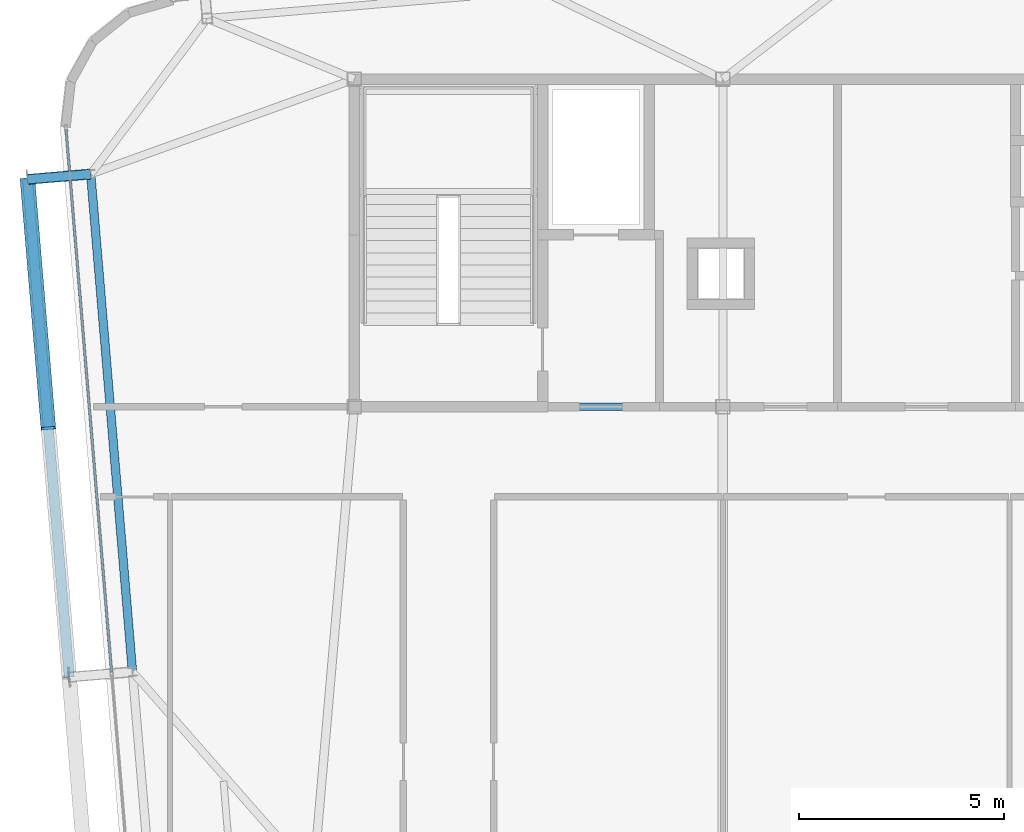
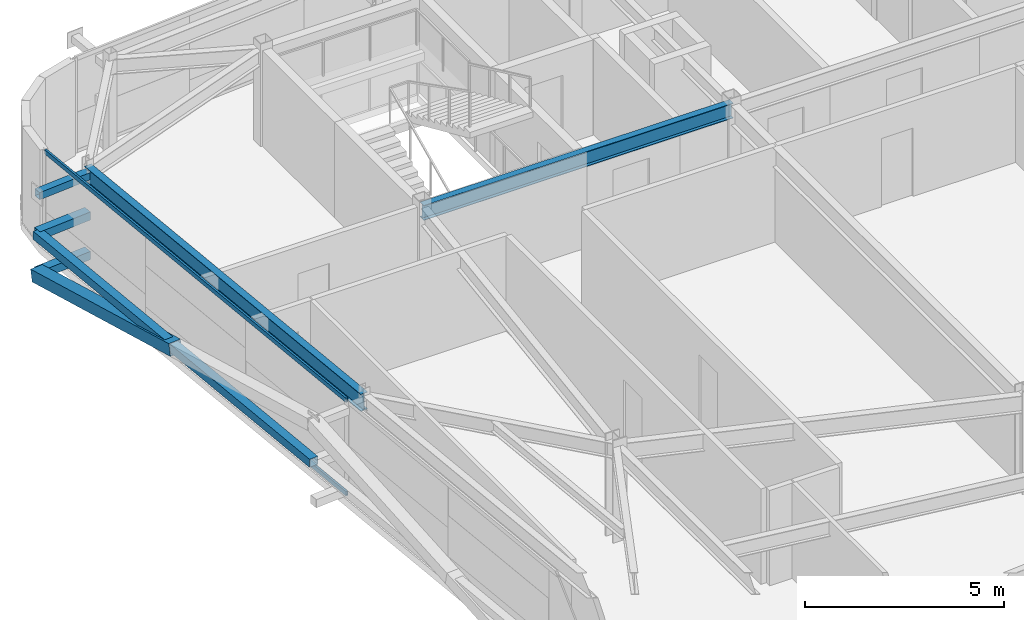
# One storey, part 13 of 37: 7 members, 2 beams, 1 element without a shape of its own.
"""IFC4 building model written with IfcOpenShell, lengths in metres."""

from ifc_helpers import new_model, si_unit, direction, frame, origin, origin_2d, place, context, subcontext, project, spatial, hollow_rectangle, i_section, extrude, source, transform, mapped, material, layer, layer_set, material_profile, profile_set, type_object, element, aggregate, save


model = new_model("IFC4")

# Units and contexts
model_context = context("Model", 3, precision=1e-05, world=origin(), true_north=direction((0.0, 1.0)))
body_context = subcontext(model_context, "Body", "Model", "MODEL_VIEW")
ifc_project = project(units=[si_unit("LENGTHUNIT", "METRE"), si_unit("AREAUNIT", "SQUARE_METRE"), si_unit("VOLUMEUNIT", "CUBIC_METRE"), si_unit("PLANEANGLEUNIT", "RADIAN"), si_unit("MASSUNIT", "GRAM", prefix="KILO")], contexts=[model_context])

# Site, building, storey
site_placement = place(None, origin())
site = spatial("IfcSite", under=ifc_project, at=site_placement, CompositionType="ELEMENT")
building_placement = place(site_placement, origin())
building = spatial("IfcBuilding", under=site, at=building_placement, Name="Taldren Reach Tower", CompositionType="ELEMENT")
storey_placement = place(building_placement, frame((0.0, 0.0, 172.550048828125)))
storey = spatial("IfcBuildingStorey", under=building, at=storey_placement, Name="L52", CompositionType="ELEMENT", Elevation=172.550048828125)

# Beams
ifc_material_1 = material(Name="Steel Gr 350 (350PLUS)", Category="steel")
ifc_material_profile_1 = material_profile(ifc_material_1, i_section(OverallWidth=0.19091796875, OverallDepth=0.4599609375, WebThickness=0.010009765625, FlangeThickness=0.01611328125, at=origin_2d()), Name="460UB82.1")
ifc_profile_set_1 = profile_set([ifc_material_profile_1], Name="Steel Gr 350 (350PLUS)")
beam_type_1 = type_object("IfcBeamType", Name="BM-UB460A", PredefinedType="BEAM", material=ifc_profile_set_1)
shared_shape_1 = source(origin(), body_context, "Body", "SweptSolid", [
    extrude(i_section(OverallWidth=0.19091796875, OverallDepth=0.4599609375, WebThickness=0.010009765625, FlangeThickness=0.01611328125, at=origin_2d()), origin(), (0.0, 0.0, 1.0), 9.0),
])
beam_1_placement = place(storey_placement, frame((19.0, 24.0, 2.699951171875), z_axis=(1.0, 0.0, 0.0), x_axis=(0.0, 1.0, 0.0)))
element("IfcBeam", 1, at=beam_1_placement, inside=storey, type_object=beam_type_1, Name="Core-spine girder L52-SP01", PredefinedType="BEAM", context=body_context, shape_type="MappedRepresentation", body=[
    mapped(shared_shape_1, transform((0.0, 0.0, 0.0), scale=1.0)),
])
ifc_material_profile_2 = material_profile(ifc_material_1, i_section(OverallWidth=0.208984375, OverallDepth=0.528076171875, WebThickness=0.009521484375, FlangeThickness=0.01318359375, at=origin_2d()), Name="530UB82.0")
ifc_profile_set_2 = profile_set([ifc_material_profile_2], Name="Steel Gr 350 (350PLUS)")
beam_type_2 = type_object("IfcBeamType", Name="SP-UB530B", PredefinedType="SPANDREL", material=ifc_profile_set_2)
shared_shape_2 = source(origin(), body_context, "Body", "SweptSolid", [
    extrude(i_section(OverallWidth=0.208984375, OverallDepth=0.528076171875, WebThickness=0.009521484375, FlangeThickness=0.01318359375, at=origin_2d()), origin(), (0.0, 0.0, 1.0), 12.199951171875),
])
beam_2_placement = place(storey_placement, frame((12.56201171875, 29.682373046875, 2.666015625), z_axis=(0.083668166953, -0.99649367175, 0.0), x_axis=(0.99649367175, 0.083668166953, 0.0)))
element("IfcBeam", 2, at=beam_2_placement, inside=storey, type_object=beam_type_2, Name="Perimeter spandrel B4 W3-W2 L52", PredefinedType="SPANDREL", context=body_context, shape_type="MappedRepresentation", body=[
    mapped(shared_shape_2, transform((0.0, 0.0, 0.0), scale=1.0)),
])

# Members
ifc_material_2 = material(Name="Steel Gr 450 (C450L0)", Category="steel")
ifc_material_profile_3 = material_profile(ifc_material_2, hollow_rectangle(XDim=0.219970703125, YDim=0.219970703125, WallThickness=0.00830078125, at=origin_2d()), Name="220x220x8.2SHS")
ifc_profile_set_3 = profile_set([ifc_material_profile_3], Name="Steel Gr 450 (C450L0)")
member_type_1 = type_object("IfcMemberType", Name="MB-TIE219", PredefinedType="STRUT", material=ifc_profile_set_3)
shared_shape_3 = source(origin(), body_context, "Body", "SweptSolid", [
    extrude(hollow_rectangle(XDim=0.219970703125, YDim=0.219970703125, WallThickness=0.00830078125, at=origin_2d()), origin(), (0.0, 0.0, 1.0), 1.54541015625),
])
member_1_placement = place(storey_placement, frame((12.557373046875, 29.68212890625, 2.64990234375), z_axis=(-0.99648887425, -0.083725285883, 0.0), x_axis=(0.083725285883, -0.99648887425, 0.0)))
element("IfcMember", 3, at=member_1_placement, inside=storey, type_object=member_type_1, Name="Exoskeleton diaphragm tie strut B4-W3 L52", PredefinedType="STRUT", context=body_context, shape_type="MappedRepresentation", body=[
    mapped(shared_shape_3, transform((0.0, 0.0, 0.0), scale=1.0)),
])
ifc_material_3 = material(Name="Steel Gr 350 (C350L0)", Category="steel")
ifc_material_profile_4 = material_profile(ifc_material_3, hollow_rectangle(XDim=0.25, YDim=0.25, WallThickness=0.010009765625, at=origin_2d()), Name="250x250x10.0SHS")
ifc_profile_set_4 = profile_set([ifc_material_profile_4], Name="Steel Gr 350 (C350L0)")
member_type_2 = type_object("IfcMemberType", Name="MB-POST250", PredefinedType="POST", material=ifc_profile_set_4)
shared_shape_4 = source(origin(), body_context, "Body", "SweptSolid", [
    extrude(hollow_rectangle(XDim=0.25, YDim=0.25, WallThickness=0.010009765625, at=origin_2d()), origin(), (0.0, 0.0, 1.0), 12.199951171875),
])
member_2_placement = place(storey_placement, frame((12.0380859375, 17.3955078125, 1.43505859375), z_axis=(-0.083668166953, 0.99649367175, 0.0), x_axis=(-0.99649367175, -0.083668166953, 0.0)))
element("IfcMember", 4, at=member_2_placement, inside=storey, type_object=member_type_2, Name="Exoskeleton mid-height ring chord B4-W2 L52", PredefinedType="POST", context=body_context, shape_type="MappedRepresentation", body=[
    mapped(shared_shape_4, transform((0.0, 0.0, 0.0), scale=1.0)),
])
shared_shape_5 = source(origin(), body_context, "Body", "SweptSolid", [
    extrude(hollow_rectangle(XDim=0.25, YDim=0.25, WallThickness=0.010009765625, at=origin_2d()), origin(), (0.0, 0.0, 1.0), 1.54541015625),
])
for number, where, z_axis, x_axis, name in (
    (5, (12.557373046875, 29.68212890625, 0.219970703125), (-0.99648887425, -0.083725285883, 0.0), (0.083725285883, -0.99648887425, 0.0), "Exoskeleton base diaphragm tie strut B4-W3 L52"),
    (6, (12.557373046875, 29.68212890625, 1.43505859375), (-0.99648887425, -0.083725285883, 0.0), (0.083725285883, -0.99648887425, 0.0), "Exoskeleton mid-tier diaphragm tie B4-W3 L52"),
):
    element("IfcMember", number, at=place(storey_placement, frame(where, z_axis=z_axis, x_axis=x_axis)), inside=storey, type_object=member_type_2, Name=name, PredefinedType="POST", context=body_context, shape_type="MappedRepresentation", body=[
        mapped(shared_shape_5, transform((0.0, 0.0, 0.0), scale=1.0)),
    ])
ifc_material_profile_5 = material_profile(ifc_material_2, hollow_rectangle(XDim=0.360107421875, YDim=0.360107421875, WallThickness=0.0126953125, at=origin_2d()), Name="360x360x12.7SHS")
ifc_profile_set_5 = profile_set([ifc_material_profile_5], Name="Steel Gr 450 (C450L0)")
member_type_3 = type_object("IfcMemberType", Name="MB-EXO356", PredefinedType="BRACE", material=ifc_profile_set_5)
shared_shape_6 = source(origin(), body_context, "Body", "SweptSolid", [
    extrude(hollow_rectangle(XDim=0.360107421875, YDim=0.360107421875, WallThickness=0.0126953125, at=origin_2d()), origin(), (0.0, 0.0, 1.0), 6.219970703125),
])
member_3_placement = place(storey_placement, frame((11.017333984375, 29.552734375, 0.219970703125), z_axis=(0.082075564879, -0.977291924611, 0.195356330179), x_axis=(0.996492003099, 0.083688038336, 0.0)))
element("IfcMember", 7, at=member_3_placement, inside=storey, type_object=member_type_3, Name="Exoskeleton Diagrid Brace B4-W2 L52", PredefinedType="BRACE", context=body_context, shape_type="MappedRepresentation", body=[
    mapped(shared_shape_6, transform((0.0, 0.0, 0.0), scale=1.0)),
])

# Curtain wall, members
ifc_material_4 = material(Name="Aluminium and Low-E Glass Unitised System", Category="aluminium")
ifc_layer = layer(ifc_material_4, 0.159912109375)
ifc_layer_set = layer_set([ifc_layer], Name="Aluminium and Low-E Glass Unitised System")
curtain_wall_type = type_object("IfcCurtainWallType", Name="CW-SYS-5", PredefinedType="NOTDEFINED", material=ifc_layer_set)
curtain_wall_placement = place(storey_placement, origin())
curtain_wall = element("IfcCurtainWall", 8, at=curtain_wall_placement, inside=storey, type_object=curtain_wall_type, Name="Unitised curtain wall CW-L52-W", PredefinedType="NOTDEFINED")
ifc_material_5 = material(Name="Anodised Aluminium 6063-T6", Category="aluminium")
ifc_material_profile_6 = material_profile(ifc_material_5, hollow_rectangle(XDim=0.06005859375, YDim=0.135009765625, WallThickness=0.00341796875, at=origin_2d()), Name="ALU-135x60x3.5RHS")
ifc_profile_set_6 = profile_set([ifc_material_profile_6], Name="Anodised Aluminium 6063-T6")
member_type_4 = type_object("IfcMemberType", Name="CW-TRN-150", PredefinedType="USERDEFINED", material=ifc_profile_set_6)
shared_shape_7 = source(origin(), body_context, "Body", "SweptSolid", [
    extrude(hollow_rectangle(XDim=0.06005859375, YDim=0.135009765625, WallThickness=0.00341796875, at=origin_2d()), origin(), (0.0, 0.0, 1.0), 13.295166015625),
])
member_4_placement = place(storey_placement, frame((11.959228515625, 30.765869140625, 0.030029296875), z_axis=(0.083662465438, -0.996494150448, 0.0), x_axis=(0.996494150448, 0.083662465438, 0.0)))
member_4 = element("IfcMember", 9, at=member_4_placement, type_object=member_type_4, Name="CW-5 transom 1.1", ObjectType="TRANSOM", PredefinedType="USERDEFINED", context=body_context, shape_type="MappedRepresentation", body=[
    mapped(shared_shape_7, transform((0.0, 0.0, 0.0), scale=1.0)),
])
member_5_placement = place(storey_placement, frame((11.959228515625, 30.765869140625, 2.89990234375), z_axis=(0.083662465438, -0.996494150448, 0.0), x_axis=(0.996494150448, 0.083662465438, 0.0)))
member_5 = element("IfcMember", 10, at=member_5_placement, type_object=member_type_4, Name="CW-5 transom 1.2", ObjectType="TRANSOM", PredefinedType="USERDEFINED", context=body_context, shape_type="MappedRepresentation", body=[
    mapped(shared_shape_7, transform((0.0, 0.0, 0.0), scale=1.0)),
])
aggregate(curtain_wall, [member_4, member_5])

save(model, "model.ifc")
